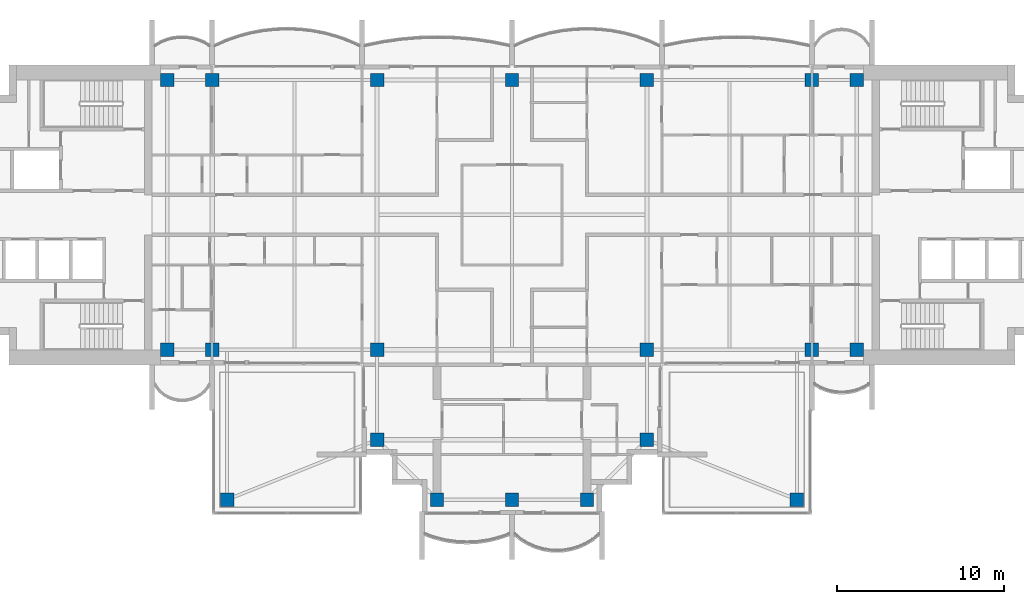
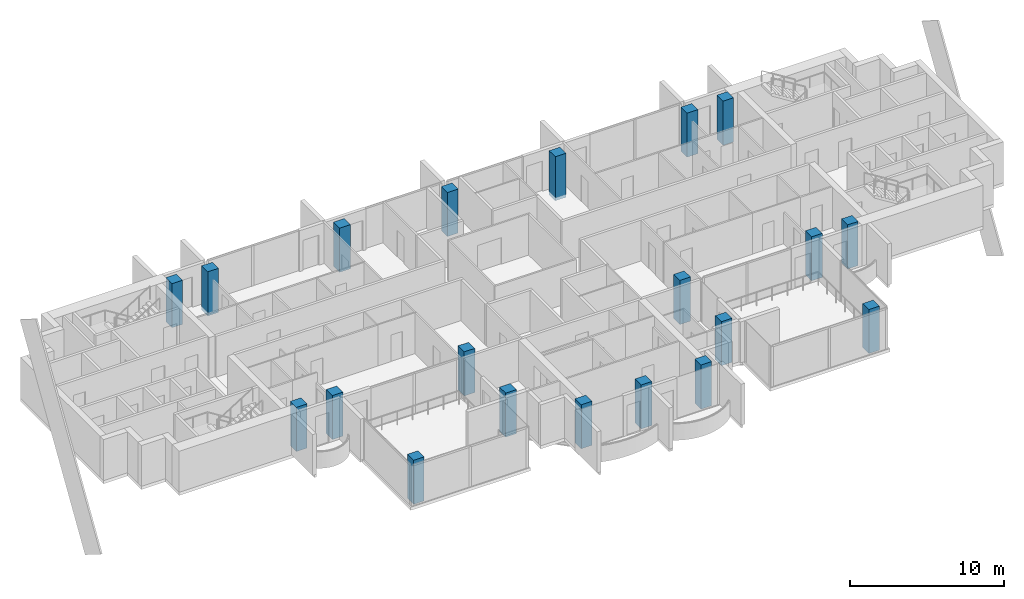
# One storey, part 1 of 16: 20 columns.
"""IFC4 building model written with IfcOpenShell, lengths in metres."""

from ifc_helpers import new_model, si_unit, direction, frame, origin, origin_2d, place, context, subcontext, project, spatial, rectangle, extrude, material, material_profile, profile_set, type_object, element, save


model = new_model("IFC4")

# Units and contexts
model_context = context("Model", 3, precision=1e-05, world=origin(), true_north=direction((0.0, 1.0)))
body_context = subcontext(model_context, "Body", "Model", "MODEL_VIEW")
ifc_project = project(units=[si_unit("LENGTHUNIT", "METRE"), si_unit("AREAUNIT", "SQUARE_METRE"), si_unit("VOLUMEUNIT", "CUBIC_METRE"), si_unit("PLANEANGLEUNIT", "RADIAN"), si_unit("MASSUNIT", "GRAM", prefix="KILO")], contexts=[model_context])

# Site, building, storey
site_placement = place(None, origin())
site = spatial("IfcSite", under=ifc_project, at=site_placement, CompositionType="ELEMENT")
building_placement = place(site_placement, origin())
building = spatial("IfcBuilding", under=site, at=building_placement, Name="Perihelion Cross Residences", CompositionType="ELEMENT")
storey_placement = place(building_placement, frame((0.0, 0.0, 264.0)))
storey = spatial("IfcBuildingStorey", under=building, at=storey_placement, Name="L67", CompositionType="ELEMENT", Elevation=264.0)

# Columns
ifc_material = material(Name="Concrete C50/60", Category="concrete")
ifc_material_profile = material_profile(ifc_material, rectangle(XDim=0.800048828125, YDim=0.800048828125, at=origin_2d()), Name="RC 800x800")
ifc_profile_set = profile_set([ifc_material_profile], Name="Concrete C50/60")
column_type = type_object("IfcColumnType", Name="Reinforced concrete column 800x800 C50/60", PredefinedType="COLUMN", material=ifc_profile_set)
for number, where, z_axis, x_axis, name in (
    (1, (-20.699951171875, -8.10009765625, -0.25), (0.0, 0.0, 1.0), (1.0, 0.0, 0.0), "Column C017 L67 no. 1"),
    (2, (-20.699951171875, 8.10009765625, -0.25), (0.0, 0.0, 1.0), (1.0, 0.0, 0.0), "Column C010 L67 no. 1"),
    (3, (-18.0, -8.10009765625, -0.25), (0.0, 0.0, 1.0), (1.0, 0.0, 0.0), "Column C018 L67 no. 1"),
    (4, (-18.0, 8.10009765625, -0.25), (0.0, 0.0, 1.0), (1.0, 0.0, 0.0), "Column C011 L67 no. 1"),
    (5, (-8.10009765625, -13.5, -0.25), (0.0, 0.0, 1.0), (1.0, 0.0, 0.0), "Column C025 L67 no. 1"),
    (6, (-8.10009765625, -8.10009765625, -0.25), (0.0, 0.0, 1.0), (1.0, 0.0, 0.0), "Column C019 L67 no. 1"),
    (7, (-8.10009765625, 8.10009765625, -0.25), (0.0, 0.0, 1.0), (1.0, 0.0, 0.0), "Column C012 L67 no. 1"),
    (8, (-4.5, -17.10009765625, -0.25), (0.0, 0.0, 1.0), (1.0, 0.0, 0.0), "Column C032 L67 no. 1"),
    (9, (0.0, -17.10009765625, -0.25), (0.0, 0.0, 1.0), (1.0, 0.0, 0.0), "Column C033 L67 no. 1"),
    (10, (0.0, 8.10009765625, -0.25), (0.0, 0.0, 1.0), (1.0, 0.0, 0.0), "Column C013 L67 no. 1"),
    (11, (4.5, -17.10009765625, -0.25), (0.0, 0.0, 1.0), (1.0, 0.0, 0.0), "Column C034 L67 no. 1"),
    (12, (8.10009765625, -13.5, -0.25), (0.0, 0.0, 1.0), (1.0, 0.0, 0.0), "Column C029 L67 no. 1"),
    (13, (8.10009765625, -8.10009765625, -0.25), (0.0, 0.0, 1.0), (1.0, 0.0, 0.0), "Column C020 L67 no. 1"),
    (14, (8.10009765625, 8.10009765625, -0.25), (0.0, 0.0, 1.0), (1.0, 0.0, 0.0), "Column C014 L67 no. 1"),
    (15, (18.0, -8.10009765625, -0.25), (0.0, 0.0, 1.0), (1.0, 0.0, 0.0), "Column C021 L67 no. 1"),
    (16, (18.0, 8.10009765625, -0.25), (0.0, 0.0, 1.0), (1.0, 0.0, 0.0), "Column C015 L67 no. 1"),
    (17, (20.699951171875, -8.10009765625, -0.25), (0.0, 0.0, 1.0), (1.0, 0.0, 0.0), "Column C022 L67 no. 1"),
    (18, (20.699951171875, 8.10009765625, -0.25), (0.0, 0.0, 1.0), (1.0, 0.0, 0.0), "Column C016 L67 no. 1"),
    (19, (-17.10009765625, -17.10009765625, -0.25), (0.0, 0.0, 1.0), (1.0, 0.0, 0.0), "Column C030 L67 no. 1"),
    (20, (17.10009765625, -17.10009765625, -0.25), (0.0, 0.0, 1.0), (1.0, 0.0, 0.0), "Column C036 L67 no. 1"),
):
    element("IfcColumn", number, at=place(storey_placement, frame(where, z_axis=z_axis, x_axis=x_axis)), inside=storey, type_object=column_type, Name=name, PredefinedType="COLUMN", context=body_context, shape_type="SweptSolid", body=[
        extrude(rectangle(XDim=0.800048828125, YDim=0.800048828125, at=origin_2d()), origin(), (0.0, 0.0, 1.0), 3.5),
    ])

save(model, "model.ifc")
